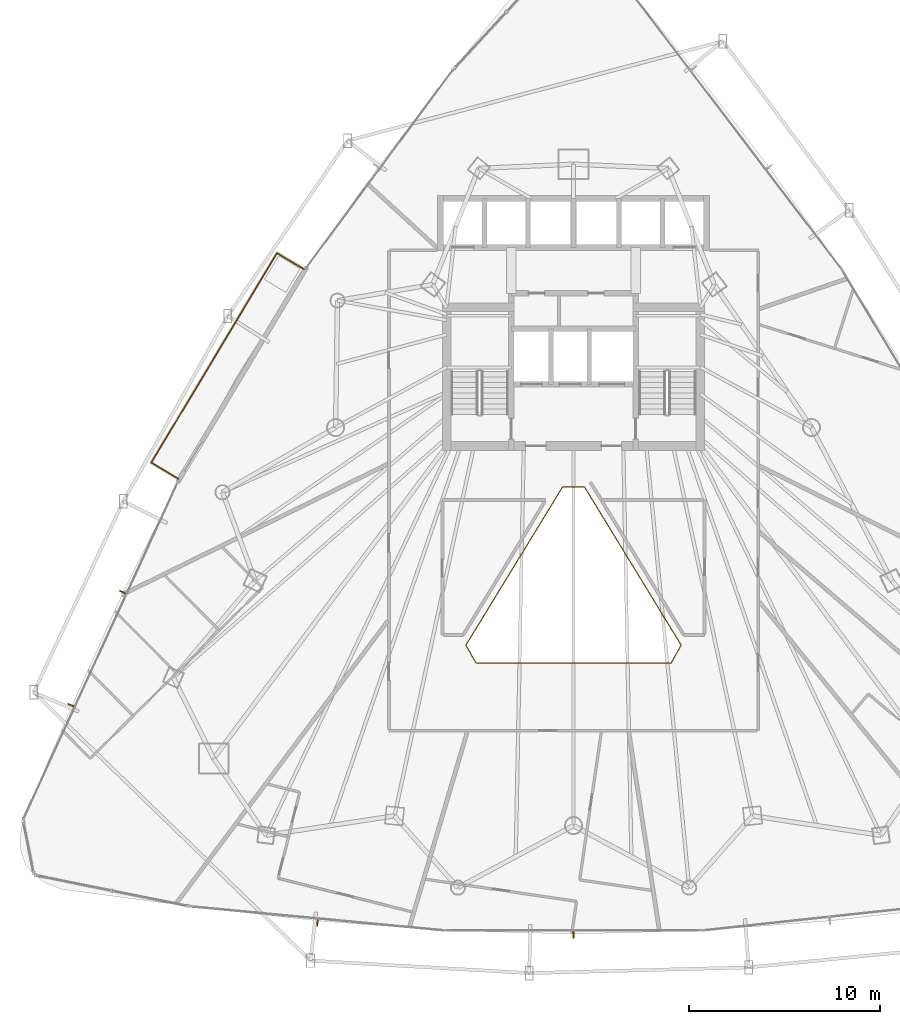
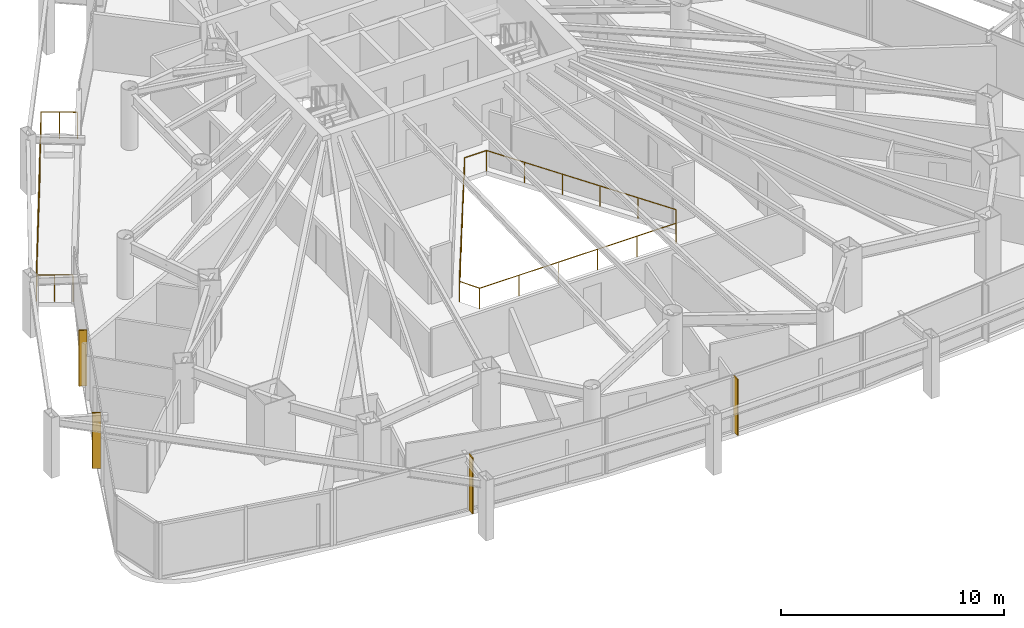
# One storey, part 32 of 35: 4 shading devices, 2 railings.
"""IFC4 building model written with IfcOpenShell, lengths in metres."""

from ifc_helpers import new_model, si_unit, direction, frame, origin, origin_2d, place, context, subcontext, project, spatial, rectangle, circle, extrude, material, layer, layer_set, type_object, element, save


model = new_model("IFC4")

# Units and contexts
model_context = context("Model", 3, precision=1e-05, world=origin(), true_north=direction((0.0, 1.0)))
body_context = subcontext(model_context, "Body", "Model", "MODEL_VIEW")
ifc_project = project(units=[si_unit("LENGTHUNIT", "METRE"), si_unit("AREAUNIT", "SQUARE_METRE"), si_unit("VOLUMEUNIT", "CUBIC_METRE"), si_unit("PLANEANGLEUNIT", "RADIAN"), si_unit("MASSUNIT", "GRAM", prefix="KILO")], contexts=[model_context])

# Site, building, storey
site_placement = place(None, origin())
site = spatial("IfcSite", under=ifc_project, at=site_placement, CompositionType="ELEMENT")
building_placement = place(site_placement, origin())
building = spatial("IfcBuilding", under=site, at=building_placement, Name="Orvanel Arch Residences", CompositionType="ELEMENT")
storey_placement = place(building_placement, frame((0.0, 0.0, 33.5)))
storey = spatial("IfcBuildingStorey", under=building, at=storey_placement, Name="L08", CompositionType="ELEMENT", Elevation=33.5)

# Shading devices
ifc_material = material(Name="Bronze-anodised aluminium AA6063-T6", Category="aluminium")
ifc_layer = layer(ifc_material, 0.06005859375)
ifc_layer_set = layer_set([ifc_layer], Name="Bronze-anodised aluminium AA6063-T6")
shading_device_type = type_object("IfcShadingDeviceType", Name="FIN-BRZ-380", PredefinedType="USERDEFINED", material=ifc_layer_set)
for number, where, z_axis, x_axis, name in (
    (1, (9.4541015625, 19.035888671875, 0.0), (0.0, 0.0, 1.0), (-0.909236109047, 0.41628079226, 0.0), "L08 Anodised Bronze Mullion FIN 01"),
    (2, (6.751953125, 13.137939453125, 0.0), (0.0, 0.0, 1.0), (-0.909236109047, 0.41628079226, 0.0), "L08 Anodised Bronze Mullion FIN 02"),
    (3, (19.6240234375, 1.77099609375, 0.0), (0.0, 0.0, 1.0), (-0.094108313319, -0.995561964603, 0.0), "L08 Anodised Bronze Mullion FIN 01"),
    (4, (33.0, 1.138916015625, 0.0), (0.0, 0.0, 1.0), (0.0, -1.0, 0.0), "L08 Anodised Bronze Mullion FIN 01"),
):
    element("IfcShadingDevice", number, at=place(storey_placement, frame(where, z_axis=z_axis, x_axis=x_axis)), inside=storey, type_object=shading_device_type, Name=name, ObjectType="FIN", PredefinedType="USERDEFINED", context=body_context, shape_type="SweptSolid", body=[
        extrude(rectangle(XDim=0.3798828125, YDim=0.06005859375, at=origin_2d()), origin(), (0.0, 0.0, 1.0), 3.06005859375),
    ])

# Railings
railing_type_1 = type_object("IfcRailingType", Name="RL-ATR-1150", PredefinedType="BALUSTRADE", material=ifc_material)
railing_1_placement = place(storey_placement, frame((33.569091796875, 24.531005859375, 0.0)))
element("IfcRailing", 5, at=railing_1_placement, inside=storey, type_object=railing_type_1, Name="L08 Atrium Void Protective Balustrade", PredefinedType="BALUSTRADE", context=body_context, shape_type="SweptSolid", body=[
    extrude(circle(Radius=0.02392578125, at=origin_2d()), frame((-0.00146484375, 0.0, 1.1259765625), z_axis=(-1.0, 0.0, 0.0), x_axis=(0.0, -1.0, 0.0)), (0.0, 0.0, 1.0), 1.13525390625),
    extrude(circle(Radius=0.02392578125, at=origin_2d()), frame((-1.138916015625, -0.001220703125, 1.1259765625), z_axis=(-0.521544896267, -0.853223840019, 0.0), x_axis=(0.853223840019, -0.521544896267, 0.0)), (0.0, 0.0, 1.0), 9.675537109375),
    extrude(circle(Radius=0.02392578125, at=origin_2d()), frame((-6.185302734375, -8.25927734375, 1.1259765625), z_axis=(0.489076966269, -0.872240632546, 0.0), x_axis=(0.872240632546, 0.489076966269, 0.0)), (0.0, 0.0, 1.0), 1.064208984375),
    extrude(circle(Radius=0.02392578125, at=origin_2d()), frame((-5.66259765625, -9.18896484375, 1.1259765625), z_axis=(1.0, 0.0, 0.0), x_axis=(0.0, 1.0, 0.0)), (0.0, 0.0, 1.0), 10.18701171875),
    extrude(circle(Radius=0.02392578125, at=origin_2d()), frame((4.526611328125, -9.187744140625, 1.1259765625), z_axis=(0.489076966269, 0.872240632546, 0.0), x_axis=(-0.872240632546, 0.489076966269, 0.0)), (0.0, 0.0, 1.0), 1.064208984375),
    extrude(circle(Radius=0.02392578125, at=origin_2d()), frame((5.047119140625, -8.2568359375, 1.1259765625), z_axis=(-0.521544896267, 0.853223840019, 0.0), x_axis=(-0.853223840019, -0.521544896267, 0.0)), (0.0, 0.0, 1.0), 9.675537109375),
    extrude(circle(Radius=0.02099609375, at=origin_2d()), origin(), (0.0, 0.0, 1.0), 1.099853515625),
    extrude(circle(Radius=0.02099609375, at=origin_2d()), frame((-1.13818359375, 0.0, 0.0)), (0.0, 0.0, 1.0), 1.099853515625),
    extrude(circle(Radius=0.02099609375, at=origin_2d()), frame((-2.147705078125, -1.651611328125, 0.0)), (0.0, 0.0, 1.0), 1.099853515625),
    extrude(circle(Radius=0.02099609375, at=origin_2d()), frame((-3.1572265625, -3.30322265625, 0.0)), (0.0, 0.0, 1.0), 1.099853515625),
    extrude(circle(Radius=0.02099609375, at=origin_2d()), frame((-4.1669921875, -4.954833984375, 0.0)), (0.0, 0.0, 1.0), 1.099853515625),
    extrude(circle(Radius=0.02099609375, at=origin_2d()), frame((-5.176513671875, -6.6064453125, 0.0)), (0.0, 0.0, 1.0), 1.099853515625),
    extrude(circle(Radius=0.02099609375, at=origin_2d()), frame((-6.18603515625, -8.258056640625, 0.0)), (0.0, 0.0, 1.0), 1.099853515625),
    extrude(circle(Radius=0.02099609375, at=origin_2d()), frame((-5.6640625, -9.18896484375, 0.0)), (0.0, 0.0, 1.0), 1.099853515625),
    extrude(circle(Radius=0.02099609375, at=origin_2d()), frame((-3.6259765625, -9.18896484375, 0.0)), (0.0, 0.0, 1.0), 1.099853515625),
    extrude(circle(Radius=0.02099609375, at=origin_2d()), frame((-1.588134765625, -9.18896484375, 0.0)), (0.0, 0.0, 1.0), 1.099853515625),
    extrude(circle(Radius=0.02099609375, at=origin_2d()), frame((0.449951171875, -9.18896484375, 0.0)), (0.0, 0.0, 1.0), 1.099853515625),
    extrude(circle(Radius=0.02099609375, at=origin_2d()), frame((2.48779296875, -9.18896484375, 0.0)), (0.0, 0.0, 1.0), 1.099853515625),
    extrude(circle(Radius=0.02099609375, at=origin_2d()), frame((4.52587890625, -9.18896484375, 0.0)), (0.0, 0.0, 1.0), 1.099853515625),
    extrude(circle(Radius=0.02099609375, at=origin_2d()), frame((5.0478515625, -8.258056640625, 0.0)), (0.0, 0.0, 1.0), 1.099853515625),
    extrude(circle(Radius=0.02099609375, at=origin_2d()), frame((4.038330078125, -6.6064453125, 0.0)), (0.0, 0.0, 1.0), 1.099853515625),
    extrude(circle(Radius=0.02099609375, at=origin_2d()), frame((3.02880859375, -4.954833984375, 0.0)), (0.0, 0.0, 1.0), 1.099853515625),
    extrude(circle(Radius=0.02099609375, at=origin_2d()), frame((2.01904296875, -3.30322265625, 0.0)), (0.0, 0.0, 1.0), 1.099853515625),
    extrude(circle(Radius=0.02099609375, at=origin_2d()), frame((1.009521484375, -1.651611328125, 0.0)), (0.0, 0.0, 1.0), 1.099853515625),
])
railing_type_2 = type_object("IfcRailingType", Name="RL-BAL-1480", PredefinedType="BALUSTRADE", material=ifc_material)
railing_2_placement = place(storey_placement, frame((18.916015625, 35.906005859375, 0.0)))
element("IfcRailing", 6, at=railing_2_placement, inside=storey, type_object=railing_type_2, Name="L08 Balcony Perimeter Guardrail Face 1", PredefinedType="BALUSTRADE", context=body_context, shape_type="SweptSolid", body=[
    extrude(circle(Radius=0.02392578125, at=origin_2d()), frame((-0.001220703125, 0.000732421875, 1.4560546875), z_axis=(-0.857387817543, 0.514670895164, 0.0), x_axis=(-0.514670895164, -0.857387817543, 0.0)), (0.0, 0.0, 1.0), 1.636962890625),
    extrude(circle(Radius=0.02392578125, at=origin_2d()), frame((-1.40673828125, 0.8427734375, 1.4560546875), z_axis=(-0.51437478846, -0.85756549429, 0.0), x_axis=(0.85756549429, -0.51437478846, 0.0)), (0.0, 0.0, 1.0), 12.760009765625),
    extrude(circle(Radius=0.02392578125, at=origin_2d()), frame((-7.9697265625, -10.101806640625, 1.4560546875), z_axis=(0.857545439568, -0.514408222208, 0.0), x_axis=(0.514408222208, 0.857545439568, 0.0)), (0.0, 0.0, 1.0), 1.6376953125),
    extrude(circle(Radius=0.02099609375, at=origin_2d()), origin(), (0.0, 0.0, 1.0), 1.429931640625),
    extrude(circle(Radius=0.02099609375, at=origin_2d()), frame((-0.703125, 0.421875, 0.0)), (0.0, 0.0, 1.0), 1.429931640625),
    extrude(circle(Radius=0.02099609375, at=origin_2d()), frame((-1.406005859375, 0.843994140625, 0.0)), (0.0, 0.0, 1.0), 1.429931640625),
    extrude(circle(Radius=0.02099609375, at=origin_2d()), frame((-2.0029296875, -0.151123046875, 0.0)), (0.0, 0.0, 1.0), 1.429931640625),
    extrude(circle(Radius=0.02099609375, at=origin_2d()), frame((-2.599609375, -1.14599609375, 0.0)), (0.0, 0.0, 1.0), 1.429931640625),
    extrude(circle(Radius=0.02099609375, at=origin_2d()), frame((-3.196533203125, -2.14111328125, 0.0)), (0.0, 0.0, 1.0), 1.429931640625),
    extrude(circle(Radius=0.02099609375, at=origin_2d()), frame((-3.793212890625, -3.135986328125, 0.0)), (0.0, 0.0, 1.0), 1.429931640625),
    extrude(circle(Radius=0.02099609375, at=origin_2d()), frame((-4.39013671875, -4.131103515625, 0.0)), (0.0, 0.0, 1.0), 1.429931640625),
    extrude(circle(Radius=0.02099609375, at=origin_2d()), frame((-4.98681640625, -5.1259765625, 0.0)), (0.0, 0.0, 1.0), 1.429931640625),
    extrude(circle(Radius=0.02099609375, at=origin_2d()), frame((-5.583740234375, -6.12109375, 0.0)), (0.0, 0.0, 1.0), 1.429931640625),
    extrude(circle(Radius=0.02099609375, at=origin_2d()), frame((-6.180419921875, -7.115966796875, 0.0)), (0.0, 0.0, 1.0), 1.429931640625),
    extrude(circle(Radius=0.02099609375, at=origin_2d()), frame((-6.77734375, -8.111083984375, 0.0)), (0.0, 0.0, 1.0), 1.429931640625),
    extrude(circle(Radius=0.02099609375, at=origin_2d()), frame((-7.3740234375, -9.10595703125, 0.0)), (0.0, 0.0, 1.0), 1.429931640625),
    extrude(circle(Radius=0.02099609375, at=origin_2d()), frame((-7.970947265625, -10.10107421875, 0.0)), (0.0, 0.0, 1.0), 1.429931640625),
    extrude(circle(Radius=0.02099609375, at=origin_2d()), frame((-7.267578125, -10.52294921875, 0.0)), (0.0, 0.0, 1.0), 1.429931640625),
    extrude(circle(Radius=0.02099609375, at=origin_2d()), frame((-6.56396484375, -10.945068359375, 0.0)), (0.0, 0.0, 1.0), 1.429931640625),
])

save(model, "model.ifc")
